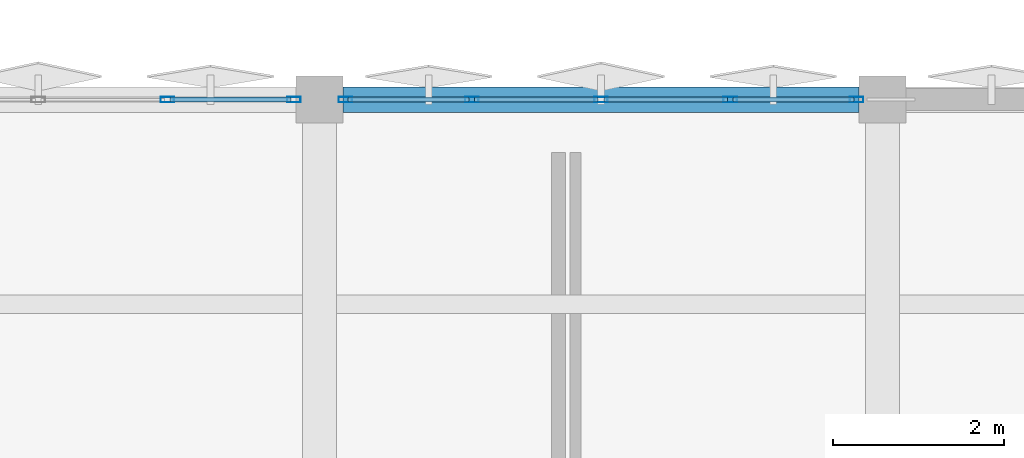
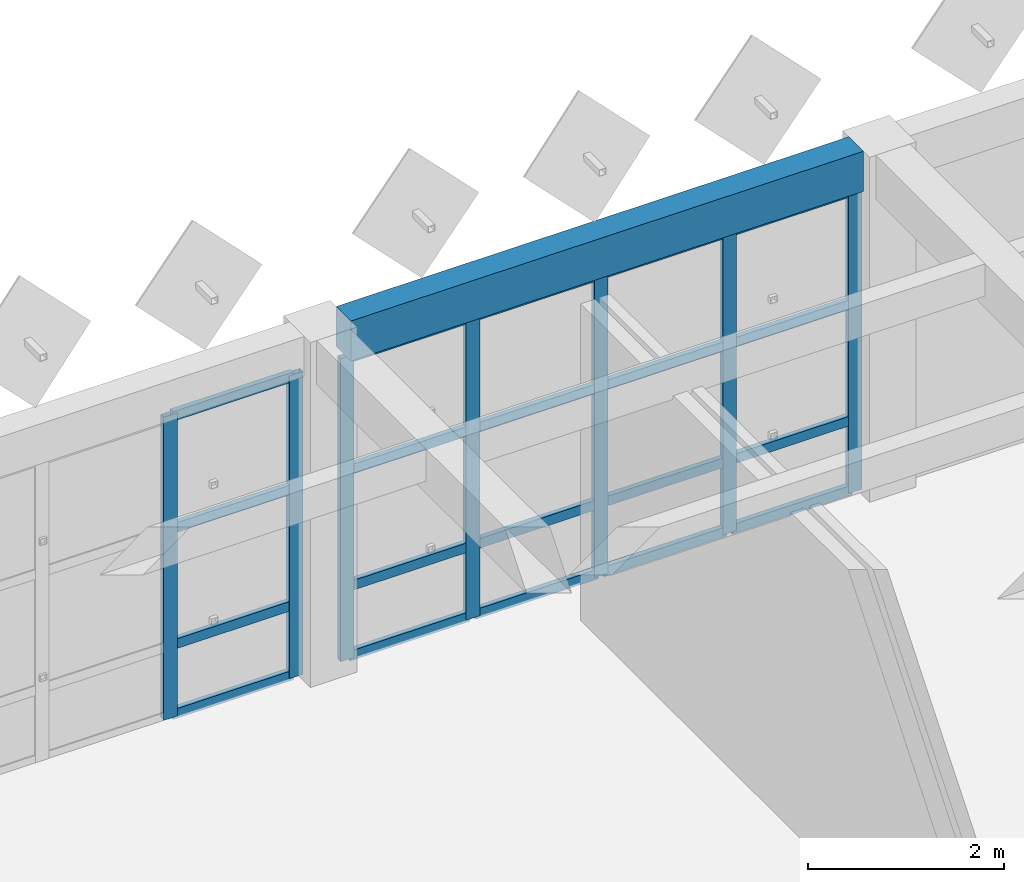
# One storey, part 14 of 29: 27 members, 1 beam, 2 elements without a shape of their own.
"""IFC4 building model written with IfcOpenShell, lengths in metres."""

from ifc_helpers import new_model, si_unit, direction, frame, origin, origin_2d, place, context, subcontext, project, spatial, rectangle, hollow_rectangle, extrude, material, layer, layer_set, material_profile, profile_set, type_object, element, aggregate, save


model = new_model("IFC4")

# Units and contexts
model_context = context("Model", 3, precision=1e-05, world=origin(), true_north=direction((0.0, 1.0)))
body_context = subcontext(model_context, "Body", "Model", "MODEL_VIEW")
ifc_project = project(units=[si_unit("LENGTHUNIT", "METRE"), si_unit("AREAUNIT", "SQUARE_METRE"), si_unit("VOLUMEUNIT", "CUBIC_METRE"), si_unit("PLANEANGLEUNIT", "RADIAN"), si_unit("MASSUNIT", "GRAM", prefix="KILO")], contexts=[model_context])

# Site, building, storey
site_placement = place(None, origin())
site = spatial("IfcSite", under=ifc_project, at=site_placement, CompositionType="ELEMENT")
building_placement = place(site_placement, origin())
building = spatial("IfcBuilding", under=site, at=building_placement, Name="Kharisveld Research Institute", CompositionType="ELEMENT")
storey_placement = place(building_placement, frame((0.0, 0.0, 32.10009765625)))
storey = spatial("IfcBuildingStorey", under=building, at=storey_placement, Name="L07", CompositionType="ELEMENT", Elevation=32.10009765625)

# Curtain wall, members
ifc_material_1 = material(Name="Thermally Broken Aluminium Curtain Wall", Category="aluminium")
ifc_layer_1 = layer(ifc_material_1, 0.159912109375)
ifc_layer_set_1 = layer_set([ifc_layer_1], Name="CW_SYS_02")
curtain_wall_type_1 = type_object("IfcCurtainWallType", Name="CW_SYS_02", PredefinedType="NOTDEFINED", material=ifc_layer_set_1)
curtain_wall_1_placement = place(storey_placement, origin())
curtain_wall_1 = element("IfcCurtainWall", 1, at=curtain_wall_1_placement, inside=storey, type_object=curtain_wall_type_1, Name="CW:V2:L07:N4", PredefinedType="NOTDEFINED")
ifc_material_2 = material(Name="Anodised Aluminium AW-6063-T6", Category="aluminium")
ifc_material_profile_1 = material_profile(ifc_material_2, hollow_rectangle(XDim=0.06494140625, YDim=0.159912109375, WallThickness=0.00390625, at=origin_2d()))
ifc_profile_set_1 = profile_set([ifc_material_profile_1], Name="Anodised Aluminium AW-6063-T6")
member_type_1 = type_object("IfcMemberType", Name="CW_MUL_160", PredefinedType="MULLION", material=ifc_profile_set_1)
member_1_placement = place(storey_placement, frame((145.81494140625, 60.800048828125, 0.0), z_axis=(0.0, 0.0, 1.0), x_axis=(0.0, 1.0, 0.0)))
member_1 = element("IfcMember", 2, at=member_1_placement, type_object=member_type_1, Name="CW-02 mullion 4", PredefinedType="MULLION", context=body_context, shape_type="SweptSolid", body=[
    extrude(hollow_rectangle(XDim=0.06494140625, YDim=0.159912109375, WallThickness=0.00390625, at=origin_2d()), origin(), (0.0, 0.0, 1.0), 3.77978515625),
])
member_2_placement = place(storey_placement, frame((147.297607421875, 60.800048828125, 0.0), z_axis=(0.0, 0.0, 1.0), x_axis=(0.0, 1.0, 0.0)))
member_2 = element("IfcMember", 3, at=member_2_placement, type_object=member_type_1, Name="CW-02 mullion 5", PredefinedType="MULLION", context=body_context, shape_type="SweptSolid", body=[
    extrude(hollow_rectangle(XDim=0.06494140625, YDim=0.159912109375, WallThickness=0.00390625, at=origin_2d()), origin(), (0.0, 0.0, 1.0), 3.77978515625),
])

ifc_material_3 = material(Name="Thermally Broken Aluminium Curtain Wall", Category="aluminium")
ifc_layer_2 = layer(ifc_material_3, 0.159912109375)
ifc_layer_set_2 = layer_set([ifc_layer_2], Name="CW_SYS_03")
curtain_wall_type_2 = type_object("IfcCurtainWallType", Name="CW_SYS_03", PredefinedType="NOTDEFINED", material=ifc_layer_set_2)
curtain_wall_2_placement = place(storey_placement, origin())
curtain_wall_2 = element("IfcCurtainWall", 4, at=curtain_wall_2_placement, inside=storey, type_object=curtain_wall_type_2, Name="CW:V2:L07:N5", PredefinedType="NOTDEFINED")
member_3_placement = place(storey_placement, frame((147.902587890625, 60.800048828125, 0.0), z_axis=(0.0, 0.0, 1.0), x_axis=(0.0, 1.0, 0.0)))
member_3 = element("IfcMember", 5, at=member_3_placement, type_object=member_type_1, Name="CW-03 mullion 1", PredefinedType="MULLION", context=body_context, shape_type="SweptSolid", body=[
    extrude(hollow_rectangle(XDim=0.06494140625, YDim=0.159912109375, WallThickness=0.00390625, at=origin_2d()), origin(), (0.0, 0.0, 1.0), 3.77978515625),
])
member_4_placement = place(storey_placement, frame((149.385009765625, 60.800048828125, 0.0), z_axis=(0.0, 0.0, 1.0), x_axis=(0.0, 1.0, 0.0)))
member_4 = element("IfcMember", 6, at=member_4_placement, type_object=member_type_1, Name="CW-03 mullion 2", PredefinedType="MULLION", context=body_context, shape_type="SweptSolid", body=[
    extrude(hollow_rectangle(XDim=0.06494140625, YDim=0.159912109375, WallThickness=0.00390625, at=origin_2d()), origin(), (0.0, 0.0, 1.0), 3.77978515625),
])
member_5_placement = place(storey_placement, frame((150.89990234375, 60.800048828125, 0.0), z_axis=(0.0, 0.0, 1.0), x_axis=(0.0, 1.0, 0.0)))
member_5 = element("IfcMember", 7, at=member_5_placement, type_object=member_type_1, Name="CW-03 mullion 3", PredefinedType="MULLION", context=body_context, shape_type="SweptSolid", body=[
    extrude(hollow_rectangle(XDim=0.06494140625, YDim=0.159912109375, WallThickness=0.00390625, at=origin_2d()), origin(), (0.0, 0.0, 1.0), 3.77978515625),
])
member_6_placement = place(storey_placement, frame((152.4150390625, 60.800048828125, 0.0), z_axis=(0.0, 0.0, 1.0), x_axis=(0.0, 1.0, 0.0)))
member_6 = element("IfcMember", 8, at=member_6_placement, type_object=member_type_1, Name="CW-03 mullion 4", PredefinedType="MULLION", context=body_context, shape_type="SweptSolid", body=[
    extrude(hollow_rectangle(XDim=0.06494140625, YDim=0.159912109375, WallThickness=0.00390625, at=origin_2d()), origin(), (0.0, 0.0, 1.0), 3.77978515625),
])
member_7_placement = place(storey_placement, frame((153.8974609375, 60.800048828125, 0.0), z_axis=(0.0, 0.0, 1.0), x_axis=(0.0, 1.0, 0.0)))
member_7 = element("IfcMember", 9, at=member_7_placement, type_object=member_type_1, Name="CW-03 mullion 5", PredefinedType="MULLION", context=body_context, shape_type="SweptSolid", body=[
    extrude(hollow_rectangle(XDim=0.06494140625, YDim=0.159912109375, WallThickness=0.00390625, at=origin_2d()), origin(), (0.0, 0.0, 1.0), 3.77978515625),
])

# Member
ifc_material_4 = material(Name="Anodised Aluminium AW-6063-T6", Category="aluminium")
ifc_material_profile_2 = material_profile(ifc_material_4, hollow_rectangle(XDim=0.06005859375, YDim=0.1201171875, WallThickness=0.00390625, at=origin_2d()))
ifc_profile_set_2 = profile_set([ifc_material_profile_2], Name="Anodised Aluminium AW-6063-T6")
member_type_2 = type_object("IfcMemberType", Name="CW_TRN_120", PredefinedType="USERDEFINED", material=ifc_profile_set_2)
member_8_placement = place(storey_placement, frame((145.847412109375, 60.800048828125, 0.02978515625), z_axis=(1.0, 0.0, 0.0), x_axis=(0.0, 1.0, 0.0)))
member_8 = element("IfcMember", 10, at=member_8_placement, type_object=member_type_2, Name="CW-02 transom 4.1", ObjectType="TRANSOM", PredefinedType="USERDEFINED", context=body_context, shape_type="SweptSolid", body=[
    extrude(hollow_rectangle(XDim=0.06005859375, YDim=0.1201171875, WallThickness=0.00390625, at=origin_2d()), origin(), (0.0, 0.0, 1.0), 1.41748046875),
])

member_9_placement = place(storey_placement, frame((145.847412109375, 60.800048828125, 0.89990234375), z_axis=(1.0, 0.0, 0.0), x_axis=(0.0, 1.0, 0.0)))
member_9 = element("IfcMember", 11, at=member_9_placement, type_object=member_type_2, Name="CW-02 transom 4.2", ObjectType="TRANSOM", PredefinedType="USERDEFINED", context=body_context, shape_type="SweptSolid", body=[
    extrude(hollow_rectangle(XDim=0.06005859375, YDim=0.1201171875, WallThickness=0.00390625, at=origin_2d()), origin(), (0.0, 0.0, 1.0), 1.41748046875),
])

member_10_placement = place(storey_placement, frame((145.847412109375, 60.800048828125, 2.349853515625), z_axis=(1.0, 0.0, 0.0), x_axis=(0.0, 1.0, 0.0)))
member_10 = element("IfcMember", 12, at=member_10_placement, type_object=member_type_2, Name="CW-02 transom 4.3", ObjectType="TRANSOM", PredefinedType="USERDEFINED", context=body_context, shape_type="SweptSolid", body=[
    extrude(hollow_rectangle(XDim=0.06005859375, YDim=0.1201171875, WallThickness=0.00390625, at=origin_2d()), origin(), (0.0, 0.0, 1.0), 1.41748046875),
])

member_11_placement = place(storey_placement, frame((145.847412109375, 60.800048828125, 3.75), z_axis=(1.0, 0.0, 0.0), x_axis=(0.0, 1.0, 0.0)))
member_11 = element("IfcMember", 13, at=member_11_placement, type_object=member_type_2, Name="CW-02 transom 4.4", ObjectType="TRANSOM", PredefinedType="USERDEFINED", context=body_context, shape_type="SweptSolid", body=[
    extrude(hollow_rectangle(XDim=0.06005859375, YDim=0.1201171875, WallThickness=0.00390625, at=origin_2d()), origin(), (0.0, 0.0, 1.0), 1.41748046875),
])

aggregate(curtain_wall_1, [member_1, member_2, member_8, member_9, member_10, member_11])

member_12_placement = place(storey_placement, frame((147.93505859375, 60.800048828125, 0.02978515625), z_axis=(1.0, 0.0, 0.0), x_axis=(0.0, 1.0, 0.0)))
member_12 = element("IfcMember", 14, at=member_12_placement, type_object=member_type_2, Name="CW-03 transom 1.1", ObjectType="TRANSOM", PredefinedType="USERDEFINED", context=body_context, shape_type="SweptSolid", body=[
    extrude(hollow_rectangle(XDim=0.06005859375, YDim=0.1201171875, WallThickness=0.00390625, at=origin_2d()), origin(), (0.0, 0.0, 1.0), 1.41748046875),
])

member_13_placement = place(storey_placement, frame((147.93505859375, 60.800048828125, 0.89990234375), z_axis=(1.0, 0.0, 0.0), x_axis=(0.0, 1.0, 0.0)))
member_13 = element("IfcMember", 15, at=member_13_placement, type_object=member_type_2, Name="CW-03 transom 1.2", ObjectType="TRANSOM", PredefinedType="USERDEFINED", context=body_context, shape_type="SweptSolid", body=[
    extrude(hollow_rectangle(XDim=0.06005859375, YDim=0.1201171875, WallThickness=0.00390625, at=origin_2d()), origin(), (0.0, 0.0, 1.0), 1.41748046875),
])

member_14_placement = place(storey_placement, frame((147.93505859375, 60.800048828125, 2.349853515625), z_axis=(1.0, 0.0, 0.0), x_axis=(0.0, 1.0, 0.0)))
member_14 = element("IfcMember", 16, at=member_14_placement, type_object=member_type_2, Name="CW-03 transom 1.3", ObjectType="TRANSOM", PredefinedType="USERDEFINED", context=body_context, shape_type="SweptSolid", body=[
    extrude(hollow_rectangle(XDim=0.06005859375, YDim=0.1201171875, WallThickness=0.00390625, at=origin_2d()), origin(), (0.0, 0.0, 1.0), 1.41748046875),
])

member_15_placement = place(storey_placement, frame((147.93505859375, 60.800048828125, 3.75), z_axis=(1.0, 0.0, 0.0), x_axis=(0.0, 1.0, 0.0)))
member_15 = element("IfcMember", 17, at=member_15_placement, type_object=member_type_2, Name="CW-03 transom 1.4", ObjectType="TRANSOM", PredefinedType="USERDEFINED", context=body_context, shape_type="SweptSolid", body=[
    extrude(hollow_rectangle(XDim=0.06005859375, YDim=0.1201171875, WallThickness=0.00390625, at=origin_2d()), origin(), (0.0, 0.0, 1.0), 1.41748046875),
])

member_16_placement = place(storey_placement, frame((149.41748046875, 60.800048828125, 0.02978515625), z_axis=(1.0, 0.0, 0.0), x_axis=(0.0, 1.0, 0.0)))
member_16 = element("IfcMember", 18, at=member_16_placement, type_object=member_type_2, Name="CW-03 transom 2.1", ObjectType="TRANSOM", PredefinedType="USERDEFINED", context=body_context, shape_type="SweptSolid", body=[
    extrude(hollow_rectangle(XDim=0.06005859375, YDim=0.1201171875, WallThickness=0.00390625, at=origin_2d()), origin(), (0.0, 0.0, 1.0), 1.449951171875),
])

member_17_placement = place(storey_placement, frame((149.41748046875, 60.800048828125, 0.89990234375), z_axis=(1.0, 0.0, 0.0), x_axis=(0.0, 1.0, 0.0)))
member_17 = element("IfcMember", 19, at=member_17_placement, type_object=member_type_2, Name="CW-03 transom 2.2", ObjectType="TRANSOM", PredefinedType="USERDEFINED", context=body_context, shape_type="SweptSolid", body=[
    extrude(hollow_rectangle(XDim=0.06005859375, YDim=0.1201171875, WallThickness=0.00390625, at=origin_2d()), origin(), (0.0, 0.0, 1.0), 1.449951171875),
])

member_18_placement = place(storey_placement, frame((149.41748046875, 60.800048828125, 2.349853515625), z_axis=(1.0, 0.0, 0.0), x_axis=(0.0, 1.0, 0.0)))
member_18 = element("IfcMember", 20, at=member_18_placement, type_object=member_type_2, Name="CW-03 transom 2.3", ObjectType="TRANSOM", PredefinedType="USERDEFINED", context=body_context, shape_type="SweptSolid", body=[
    extrude(hollow_rectangle(XDim=0.06005859375, YDim=0.1201171875, WallThickness=0.00390625, at=origin_2d()), origin(), (0.0, 0.0, 1.0), 1.449951171875),
])

member_19_placement = place(storey_placement, frame((149.41748046875, 60.800048828125, 3.75), z_axis=(1.0, 0.0, 0.0), x_axis=(0.0, 1.0, 0.0)))
member_19 = element("IfcMember", 21, at=member_19_placement, type_object=member_type_2, Name="CW-03 transom 2.4", ObjectType="TRANSOM", PredefinedType="USERDEFINED", context=body_context, shape_type="SweptSolid", body=[
    extrude(hollow_rectangle(XDim=0.06005859375, YDim=0.1201171875, WallThickness=0.00390625, at=origin_2d()), origin(), (0.0, 0.0, 1.0), 1.449951171875),
])

member_20_placement = place(storey_placement, frame((150.9326171875, 60.800048828125, 0.02978515625), z_axis=(1.0, 0.0, 0.0), x_axis=(0.0, 1.0, 0.0)))
member_20 = element("IfcMember", 22, at=member_20_placement, type_object=member_type_2, Name="CW-03 transom 3.1", ObjectType="TRANSOM", PredefinedType="USERDEFINED", context=body_context, shape_type="SweptSolid", body=[
    extrude(hollow_rectangle(XDim=0.06005859375, YDim=0.1201171875, WallThickness=0.00390625, at=origin_2d()), origin(), (0.0, 0.0, 1.0), 1.449951171875),
])

member_21_placement = place(storey_placement, frame((150.9326171875, 60.800048828125, 0.89990234375), z_axis=(1.0, 0.0, 0.0), x_axis=(0.0, 1.0, 0.0)))
member_21 = element("IfcMember", 23, at=member_21_placement, type_object=member_type_2, Name="CW-03 transom 3.2", ObjectType="TRANSOM", PredefinedType="USERDEFINED", context=body_context, shape_type="SweptSolid", body=[
    extrude(hollow_rectangle(XDim=0.06005859375, YDim=0.1201171875, WallThickness=0.00390625, at=origin_2d()), origin(), (0.0, 0.0, 1.0), 1.449951171875),
])

member_22_placement = place(storey_placement, frame((150.9326171875, 60.800048828125, 2.349853515625), z_axis=(1.0, 0.0, 0.0), x_axis=(0.0, 1.0, 0.0)))
member_22 = element("IfcMember", 24, at=member_22_placement, type_object=member_type_2, Name="CW-03 transom 3.3", ObjectType="TRANSOM", PredefinedType="USERDEFINED", context=body_context, shape_type="SweptSolid", body=[
    extrude(hollow_rectangle(XDim=0.06005859375, YDim=0.1201171875, WallThickness=0.00390625, at=origin_2d()), origin(), (0.0, 0.0, 1.0), 1.449951171875),
])

member_23_placement = place(storey_placement, frame((150.9326171875, 60.800048828125, 3.75), z_axis=(1.0, 0.0, 0.0), x_axis=(0.0, 1.0, 0.0)))
member_23 = element("IfcMember", 25, at=member_23_placement, type_object=member_type_2, Name="CW-03 transom 3.4", ObjectType="TRANSOM", PredefinedType="USERDEFINED", context=body_context, shape_type="SweptSolid", body=[
    extrude(hollow_rectangle(XDim=0.06005859375, YDim=0.1201171875, WallThickness=0.00390625, at=origin_2d()), origin(), (0.0, 0.0, 1.0), 1.449951171875),
])

member_24_placement = place(storey_placement, frame((152.447509765625, 60.800048828125, 0.02978515625), z_axis=(1.0, 0.0, 0.0), x_axis=(0.0, 1.0, 0.0)))
member_24 = element("IfcMember", 26, at=member_24_placement, type_object=member_type_2, Name="CW-03 transom 4.1", ObjectType="TRANSOM", PredefinedType="USERDEFINED", context=body_context, shape_type="SweptSolid", body=[
    extrude(hollow_rectangle(XDim=0.06005859375, YDim=0.1201171875, WallThickness=0.00390625, at=origin_2d()), origin(), (0.0, 0.0, 1.0), 1.41748046875),
])

member_25_placement = place(storey_placement, frame((152.447509765625, 60.800048828125, 0.89990234375), z_axis=(1.0, 0.0, 0.0), x_axis=(0.0, 1.0, 0.0)))
member_25 = element("IfcMember", 27, at=member_25_placement, type_object=member_type_2, Name="CW-03 transom 4.2", ObjectType="TRANSOM", PredefinedType="USERDEFINED", context=body_context, shape_type="SweptSolid", body=[
    extrude(hollow_rectangle(XDim=0.06005859375, YDim=0.1201171875, WallThickness=0.00390625, at=origin_2d()), origin(), (0.0, 0.0, 1.0), 1.41748046875),
])

member_26_placement = place(storey_placement, frame((152.447509765625, 60.800048828125, 2.349853515625), z_axis=(1.0, 0.0, 0.0), x_axis=(0.0, 1.0, 0.0)))
member_26 = element("IfcMember", 28, at=member_26_placement, type_object=member_type_2, Name="CW-03 transom 4.3", ObjectType="TRANSOM", PredefinedType="USERDEFINED", context=body_context, shape_type="SweptSolid", body=[
    extrude(hollow_rectangle(XDim=0.06005859375, YDim=0.1201171875, WallThickness=0.00390625, at=origin_2d()), origin(), (0.0, 0.0, 1.0), 1.41748046875),
])

member_27_placement = place(storey_placement, frame((152.447509765625, 60.800048828125, 3.75), z_axis=(1.0, 0.0, 0.0), x_axis=(0.0, 1.0, 0.0)))
member_27 = element("IfcMember", 29, at=member_27_placement, type_object=member_type_2, Name="CW-03 transom 4.4", ObjectType="TRANSOM", PredefinedType="USERDEFINED", context=body_context, shape_type="SweptSolid", body=[
    extrude(hollow_rectangle(XDim=0.06005859375, YDim=0.1201171875, WallThickness=0.00390625, at=origin_2d()), origin(), (0.0, 0.0, 1.0), 1.41748046875),
])

aggregate(curtain_wall_2, [member_3, member_4, member_5, member_6, member_7, member_12, member_13, member_14, member_15, member_16, member_17, member_18, member_19, member_20, member_21, member_22, member_23, member_24, member_25, member_26, member_27])

# Beam
ifc_material_5 = material(Name="Concrete C40/50", Category="concrete")
ifc_material_profile_3 = material_profile(ifc_material_5, rectangle(XDim=0.300048828125, YDim=0.5, at=origin_2d()))
ifc_profile_set_3 = profile_set([ifc_material_profile_3], Name="Concrete C40/50")
beam_type = type_object("IfcBeamType", Name="SP_RC_300x500", PredefinedType="SPANDREL", material=ifc_profile_set_3)
beam_placement = place(storey_placement, frame((147.875, 60.800048828125, 4.054931640625), z_axis=(1.0, 0.0, 0.0), x_axis=(0.0, 1.0, 0.0)))
element("IfcBeam", 30, at=beam_placement, inside=storey, type_object=beam_type, Name="BM:V2:L07:U5_3", PredefinedType="SPANDREL", context=body_context, shape_type="SweptSolid", body=[
    extrude(rectangle(XDim=0.300048828125, YDim=0.5, at=origin_2d()), origin(), (0.0, 0.0, 1.0), 6.050048828125),
])

save(model, "model.ifc")
